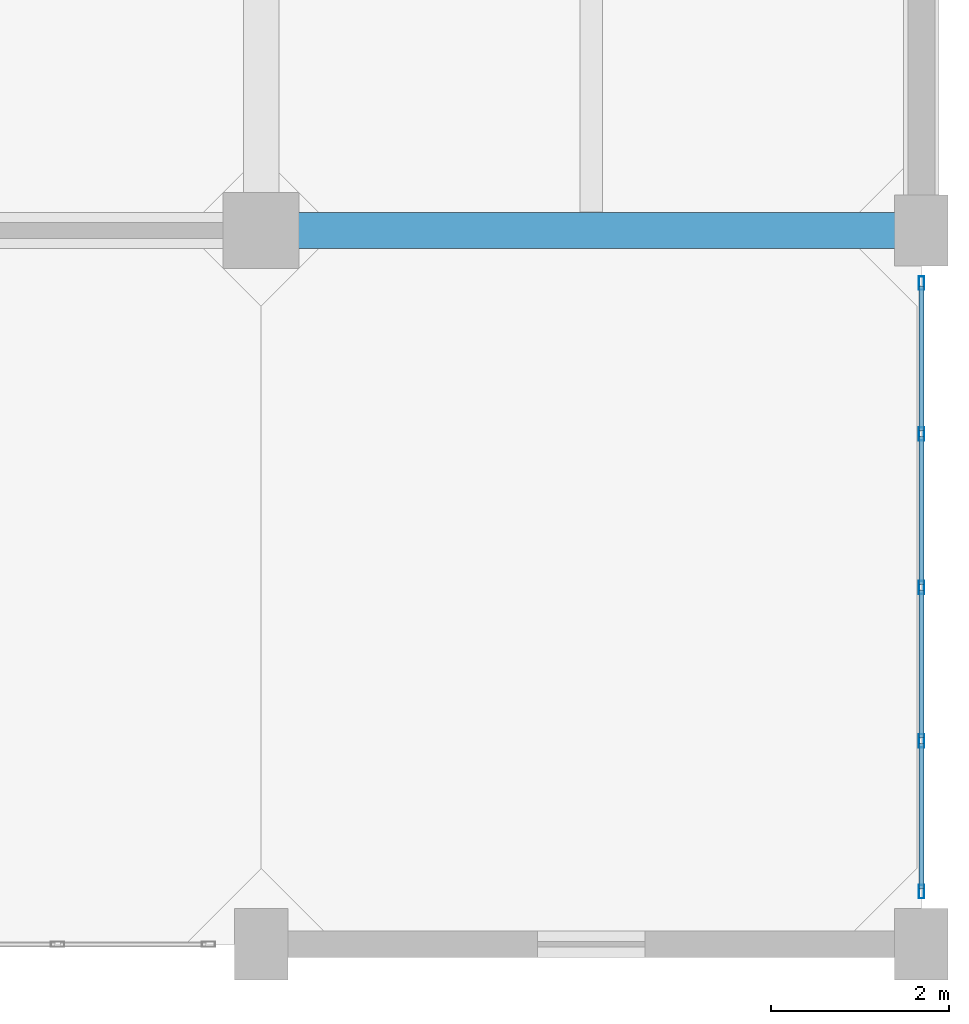
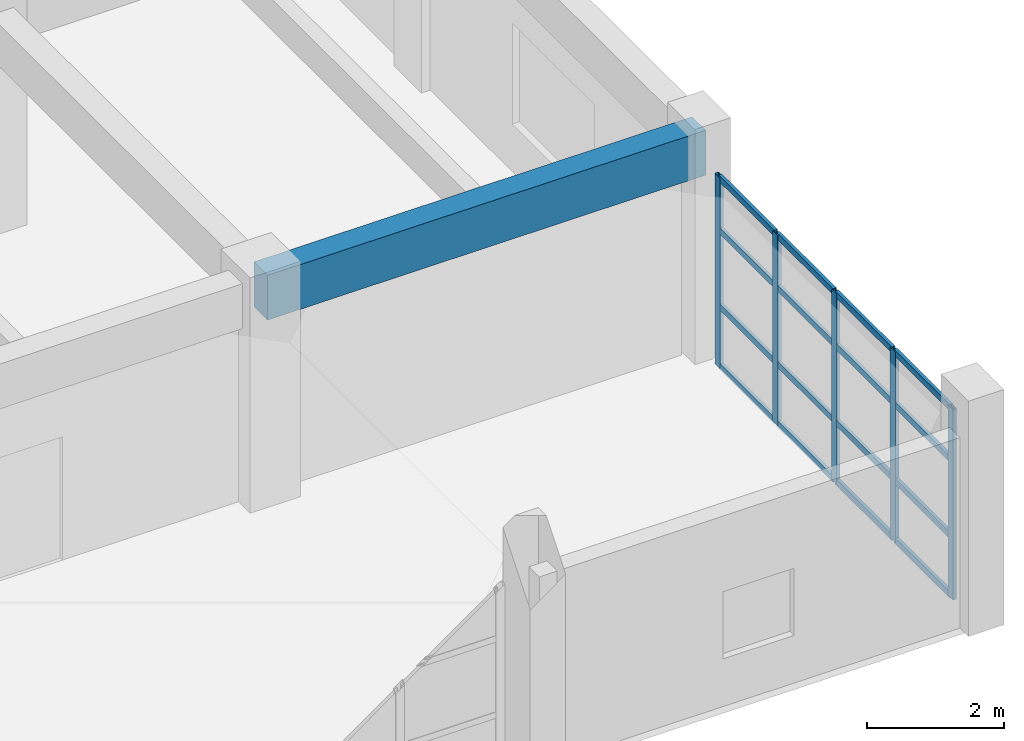
# One storey, part 9 of 27: 21 members, 1 beam, 1 element without a shape of its own.
"""IFC4 building model written with IfcOpenShell, lengths in metres."""

from ifc_helpers import new_model, si_unit, direction, frame, origin, origin_2d, place, context, subcontext, project, spatial, rectangle, hollow_rectangle, extrude, material, layer, layer_set, material_profile, profile_set, type_object, element, aggregate, save


model = new_model("IFC4")

# Units and contexts
model_context = context("Model", 3, precision=1e-05, world=origin(), true_north=direction((0.0, 1.0)))
body_context = subcontext(model_context, "Body", "Model", "MODEL_VIEW")
ifc_project = project(units=[si_unit("LENGTHUNIT", "METRE"), si_unit("AREAUNIT", "SQUARE_METRE"), si_unit("VOLUMEUNIT", "CUBIC_METRE"), si_unit("PLANEANGLEUNIT", "RADIAN"), si_unit("MASSUNIT", "GRAM", prefix="KILO")], contexts=[model_context])

# Site, building, storey
site_placement = place(None, origin())
site = spatial("IfcSite", under=ifc_project, at=site_placement, CompositionType="ELEMENT")
building_placement = place(site_placement, origin())
building = spatial("IfcBuilding", under=site, at=building_placement, Name="Canggui Botanical Conservatory", CompositionType="ELEMENT")
storey_placement = place(building_placement, frame((0.0, 0.0, 23.39990234375)))
storey = spatial("IfcBuildingStorey", under=building, at=storey_placement, Name="L06", CompositionType="ELEMENT", Elevation=23.39990234375)

# Beam
ifc_material_1 = material(Name="Concrete C35", Category="concrete")
ifc_material_profile_1 = material_profile(ifc_material_1, rectangle(XDim=0.39990234375, YDim=0.800048828125, at=origin_2d()), Name="RB 400x800")
ifc_profile_set_1 = profile_set([ifc_material_profile_1], Name="Concrete C35")
beam_type = type_object("IfcBeamType", Name="BM-KL09", PredefinedType="BEAM", material=ifc_profile_set_1)
beam_placement = place(storey_placement, frame((170.0, 34.0, 3.56005859375), z_axis=(1.0, 0.0, 0.0), x_axis=(0.0, 1.0, 0.0)))
element("IfcBeam", 1, at=beam_placement, inside=storey, type_object=beam_type, Name="Frame Girder L06 Y34-5", PredefinedType="BEAM", context=body_context, shape_type="SweptSolid", body=[
    extrude(rectangle(XDim=0.39990234375, YDim=0.800048828125, at=origin_2d()), origin(), (0.0, 0.0, 1.0), 7.39990234375),
])

# Curtain wall, members
ifc_material_2 = material(Name="Thermally Broken Aluminium", Category="aluminium")
ifc_layer = layer(ifc_material_2, 0.14990234375, Name="Thermally Broken Aluminium", Category="aluminium")
ifc_layer_set = layer_set([ifc_layer], Name="Thermally Broken Aluminium")
curtain_wall_type = type_object("IfcCurtainWallType", Name="CW-UNIT-C", PredefinedType="USERDEFINED", material=ifc_layer_set)
curtain_wall_placement = place(storey_placement, origin())
curtain_wall = element("IfcCurtainWall", 2, at=curtain_wall_placement, inside=storey, type_object=curtain_wall_type, Name="Facade Curtain Wall CW-TWR-L06-22", ObjectType="UNITISED CURTAIN WALL", PredefinedType="USERDEFINED")
ifc_material_profile_2 = material_profile(ifc_material_2, hollow_rectangle(XDim=0.06005859375, YDim=0.14990234375, WallThickness=0.00341796875, at=origin_2d()), Name="CWM 60x150x3.5")
ifc_profile_set_2 = profile_set([ifc_material_profile_2], Name="Thermally Broken Aluminium")
member_type_1 = type_object("IfcMemberType", Name="CWM-03", PredefinedType="MULLION", material=ifc_profile_set_2)
member_1_placement = place(storey_placement, frame((177.39990234375, 33.409912109375, 0.0), z_axis=(0.0, 0.0, 1.0), x_axis=(1.0, 0.0, 0.0)))
member_1 = element("IfcMember", 3, at=member_1_placement, type_object=member_type_1, Name="CW-03 mullion 1", PredefinedType="MULLION", context=body_context, shape_type="SweptSolid", body=[
    extrude(hollow_rectangle(XDim=0.06005859375, YDim=0.14990234375, WallThickness=0.00341796875, at=origin_2d()), origin(), (0.0, 0.0, 1.0), 3.400146484375),
])
member_2_placement = place(storey_placement, frame((177.39990234375, 31.719970703125, 0.0), z_axis=(0.0, 0.0, 1.0), x_axis=(1.0, 0.0, 0.0)))
member_2 = element("IfcMember", 4, at=member_2_placement, type_object=member_type_1, Name="CW-03 mullion 2", PredefinedType="MULLION", context=body_context, shape_type="SweptSolid", body=[
    extrude(hollow_rectangle(XDim=0.06005859375, YDim=0.14990234375, WallThickness=0.00341796875, at=origin_2d()), origin(), (0.0, 0.0, 1.0), 3.400146484375),
])
member_3_placement = place(storey_placement, frame((177.39990234375, 30.0, 0.0), z_axis=(0.0, 0.0, 1.0), x_axis=(1.0, 0.0, 0.0)))
member_3 = element("IfcMember", 5, at=member_3_placement, type_object=member_type_1, Name="CW-03 mullion 3", PredefinedType="MULLION", context=body_context, shape_type="SweptSolid", body=[
    extrude(hollow_rectangle(XDim=0.06005859375, YDim=0.14990234375, WallThickness=0.00341796875, at=origin_2d()), origin(), (0.0, 0.0, 1.0), 3.400146484375),
])
member_4_placement = place(storey_placement, frame((177.39990234375, 28.280029296875, 0.0), z_axis=(0.0, 0.0, 1.0), x_axis=(1.0, 0.0, 0.0)))
member_4 = element("IfcMember", 6, at=member_4_placement, type_object=member_type_1, Name="CW-03 mullion 4", PredefinedType="MULLION", context=body_context, shape_type="SweptSolid", body=[
    extrude(hollow_rectangle(XDim=0.06005859375, YDim=0.14990234375, WallThickness=0.00341796875, at=origin_2d()), origin(), (0.0, 0.0, 1.0), 3.400146484375),
])
member_5_placement = place(storey_placement, frame((177.39990234375, 26.590087890625, 0.0), z_axis=(0.0, 0.0, 1.0), x_axis=(1.0, 0.0, 0.0)))
member_5 = element("IfcMember", 7, at=member_5_placement, type_object=member_type_1, Name="CW-03 mullion 5", PredefinedType="MULLION", context=body_context, shape_type="SweptSolid", body=[
    extrude(hollow_rectangle(XDim=0.06005859375, YDim=0.14990234375, WallThickness=0.00341796875, at=origin_2d()), origin(), (0.0, 0.0, 1.0), 3.400146484375),
])
ifc_material_profile_3 = material_profile(ifc_material_2, hollow_rectangle(XDim=0.054931640625, YDim=0.110107421875, WallThickness=0.0029296875, at=origin_2d()), Name="CWT 55x110x3")
ifc_profile_set_3 = profile_set([ifc_material_profile_3], Name="Thermally Broken Aluminium")
member_type_2 = type_object("IfcMemberType", Name="CWT-03", PredefinedType="USERDEFINED", material=ifc_profile_set_3)
member_6_placement = place(storey_placement, frame((177.39990234375, 33.3798828125, 0.027587890625), z_axis=(0.0, -1.0, 0.0), x_axis=(1.0, 0.0, 0.0)))
member_6 = element("IfcMember", 8, at=member_6_placement, type_object=member_type_2, Name="CW-03 transom 1.1", ObjectType="TRANSOM", PredefinedType="USERDEFINED", context=body_context, shape_type="SweptSolid", body=[
    extrude(hollow_rectangle(XDim=0.054931640625, YDim=0.110107421875, WallThickness=0.0029296875, at=origin_2d()), origin(), (0.0, 0.0, 1.0), 1.6298828125),
])
member_7_placement = place(storey_placement, frame((177.39990234375, 33.3798828125, 1.088134765625), z_axis=(0.0, -1.0, 0.0), x_axis=(1.0, 0.0, 0.0)))
member_7 = element("IfcMember", 9, at=member_7_placement, type_object=member_type_2, Name="CW-03 transom 1.2", ObjectType="TRANSOM", PredefinedType="USERDEFINED", context=body_context, shape_type="SweptSolid", body=[
    extrude(hollow_rectangle(XDim=0.054931640625, YDim=0.110107421875, WallThickness=0.0029296875, at=origin_2d()), origin(), (0.0, 0.0, 1.0), 1.6298828125),
])
member_8_placement = place(storey_placement, frame((177.39990234375, 33.3798828125, 2.447998046875), z_axis=(0.0, -1.0, 0.0), x_axis=(1.0, 0.0, 0.0)))
member_8 = element("IfcMember", 10, at=member_8_placement, type_object=member_type_2, Name="CW-03 transom 1.3", ObjectType="TRANSOM", PredefinedType="USERDEFINED", context=body_context, shape_type="SweptSolid", body=[
    extrude(hollow_rectangle(XDim=0.054931640625, YDim=0.110107421875, WallThickness=0.0029296875, at=origin_2d()), origin(), (0.0, 0.0, 1.0), 1.6298828125),
])
member_9_placement = place(storey_placement, frame((177.39990234375, 33.3798828125, 3.37255859375), z_axis=(0.0, -1.0, 0.0), x_axis=(1.0, 0.0, 0.0)))
member_9 = element("IfcMember", 11, at=member_9_placement, type_object=member_type_2, Name="CW-03 transom 1.4", ObjectType="TRANSOM", PredefinedType="USERDEFINED", context=body_context, shape_type="SweptSolid", body=[
    extrude(hollow_rectangle(XDim=0.054931640625, YDim=0.110107421875, WallThickness=0.0029296875, at=origin_2d()), origin(), (0.0, 0.0, 1.0), 1.6298828125),
])
member_10_placement = place(storey_placement, frame((177.39990234375, 31.68994140625, 0.027587890625), z_axis=(0.0, -1.0, 0.0), x_axis=(1.0, 0.0, 0.0)))
member_10 = element("IfcMember", 12, at=member_10_placement, type_object=member_type_2, Name="CW-03 transom 2.1", ObjectType="TRANSOM", PredefinedType="USERDEFINED", context=body_context, shape_type="SweptSolid", body=[
    extrude(hollow_rectangle(XDim=0.054931640625, YDim=0.110107421875, WallThickness=0.0029296875, at=origin_2d()), origin(), (0.0, 0.0, 1.0), 1.659912109375),
])
member_11_placement = place(storey_placement, frame((177.39990234375, 31.68994140625, 1.088134765625), z_axis=(0.0, -1.0, 0.0), x_axis=(1.0, 0.0, 0.0)))
member_11 = element("IfcMember", 13, at=member_11_placement, type_object=member_type_2, Name="CW-03 transom 2.2", ObjectType="TRANSOM", PredefinedType="USERDEFINED", context=body_context, shape_type="SweptSolid", body=[
    extrude(hollow_rectangle(XDim=0.054931640625, YDim=0.110107421875, WallThickness=0.0029296875, at=origin_2d()), origin(), (0.0, 0.0, 1.0), 1.659912109375),
])
member_12_placement = place(storey_placement, frame((177.39990234375, 31.68994140625, 2.447998046875), z_axis=(0.0, -1.0, 0.0), x_axis=(1.0, 0.0, 0.0)))
member_12 = element("IfcMember", 14, at=member_12_placement, type_object=member_type_2, Name="CW-03 transom 2.3", ObjectType="TRANSOM", PredefinedType="USERDEFINED", context=body_context, shape_type="SweptSolid", body=[
    extrude(hollow_rectangle(XDim=0.054931640625, YDim=0.110107421875, WallThickness=0.0029296875, at=origin_2d()), origin(), (0.0, 0.0, 1.0), 1.659912109375),
])
member_13_placement = place(storey_placement, frame((177.39990234375, 31.68994140625, 3.37255859375), z_axis=(0.0, -1.0, 0.0), x_axis=(1.0, 0.0, 0.0)))
member_13 = element("IfcMember", 15, at=member_13_placement, type_object=member_type_2, Name="CW-03 transom 2.4", ObjectType="TRANSOM", PredefinedType="USERDEFINED", context=body_context, shape_type="SweptSolid", body=[
    extrude(hollow_rectangle(XDim=0.054931640625, YDim=0.110107421875, WallThickness=0.0029296875, at=origin_2d()), origin(), (0.0, 0.0, 1.0), 1.659912109375),
])
member_14_placement = place(storey_placement, frame((177.39990234375, 29.969970703125, 0.027587890625), z_axis=(0.0, -1.0, 0.0), x_axis=(1.0, 0.0, 0.0)))
member_14 = element("IfcMember", 16, at=member_14_placement, type_object=member_type_2, Name="CW-03 transom 3.1", ObjectType="TRANSOM", PredefinedType="USERDEFINED", context=body_context, shape_type="SweptSolid", body=[
    extrude(hollow_rectangle(XDim=0.054931640625, YDim=0.110107421875, WallThickness=0.0029296875, at=origin_2d()), origin(), (0.0, 0.0, 1.0), 1.659912109375),
])
member_15_placement = place(storey_placement, frame((177.39990234375, 29.969970703125, 1.088134765625), z_axis=(0.0, -1.0, 0.0), x_axis=(1.0, 0.0, 0.0)))
member_15 = element("IfcMember", 17, at=member_15_placement, type_object=member_type_2, Name="CW-03 transom 3.2", ObjectType="TRANSOM", PredefinedType="USERDEFINED", context=body_context, shape_type="SweptSolid", body=[
    extrude(hollow_rectangle(XDim=0.054931640625, YDim=0.110107421875, WallThickness=0.0029296875, at=origin_2d()), origin(), (0.0, 0.0, 1.0), 1.659912109375),
])
member_16_placement = place(storey_placement, frame((177.39990234375, 29.969970703125, 2.447998046875), z_axis=(0.0, -1.0, 0.0), x_axis=(1.0, 0.0, 0.0)))
member_16 = element("IfcMember", 18, at=member_16_placement, type_object=member_type_2, Name="CW-03 transom 3.3", ObjectType="TRANSOM", PredefinedType="USERDEFINED", context=body_context, shape_type="SweptSolid", body=[
    extrude(hollow_rectangle(XDim=0.054931640625, YDim=0.110107421875, WallThickness=0.0029296875, at=origin_2d()), origin(), (0.0, 0.0, 1.0), 1.659912109375),
])
member_17_placement = place(storey_placement, frame((177.39990234375, 29.969970703125, 3.37255859375), z_axis=(0.0, -1.0, 0.0), x_axis=(1.0, 0.0, 0.0)))
member_17 = element("IfcMember", 19, at=member_17_placement, type_object=member_type_2, Name="CW-03 transom 3.4", ObjectType="TRANSOM", PredefinedType="USERDEFINED", context=body_context, shape_type="SweptSolid", body=[
    extrude(hollow_rectangle(XDim=0.054931640625, YDim=0.110107421875, WallThickness=0.0029296875, at=origin_2d()), origin(), (0.0, 0.0, 1.0), 1.659912109375),
])
member_18_placement = place(storey_placement, frame((177.39990234375, 28.25, 0.027587890625), z_axis=(0.0, -1.0, 0.0), x_axis=(1.0, 0.0, 0.0)))
member_18 = element("IfcMember", 20, at=member_18_placement, type_object=member_type_2, Name="CW-03 transom 4.1", ObjectType="TRANSOM", PredefinedType="USERDEFINED", context=body_context, shape_type="SweptSolid", body=[
    extrude(hollow_rectangle(XDim=0.054931640625, YDim=0.110107421875, WallThickness=0.0029296875, at=origin_2d()), origin(), (0.0, 0.0, 1.0), 1.6298828125),
])
member_19_placement = place(storey_placement, frame((177.39990234375, 28.25, 1.088134765625), z_axis=(0.0, -1.0, 0.0), x_axis=(1.0, 0.0, 0.0)))
member_19 = element("IfcMember", 21, at=member_19_placement, type_object=member_type_2, Name="CW-03 transom 4.2", ObjectType="TRANSOM", PredefinedType="USERDEFINED", context=body_context, shape_type="SweptSolid", body=[
    extrude(hollow_rectangle(XDim=0.054931640625, YDim=0.110107421875, WallThickness=0.0029296875, at=origin_2d()), origin(), (0.0, 0.0, 1.0), 1.6298828125),
])
member_20_placement = place(storey_placement, frame((177.39990234375, 28.25, 2.447998046875), z_axis=(0.0, -1.0, 0.0), x_axis=(1.0, 0.0, 0.0)))
member_20 = element("IfcMember", 22, at=member_20_placement, type_object=member_type_2, Name="CW-03 transom 4.3", ObjectType="TRANSOM", PredefinedType="USERDEFINED", context=body_context, shape_type="SweptSolid", body=[
    extrude(hollow_rectangle(XDim=0.054931640625, YDim=0.110107421875, WallThickness=0.0029296875, at=origin_2d()), origin(), (0.0, 0.0, 1.0), 1.6298828125),
])
member_21_placement = place(storey_placement, frame((177.39990234375, 28.25, 3.37255859375), z_axis=(0.0, -1.0, 0.0), x_axis=(1.0, 0.0, 0.0)))
member_21 = element("IfcMember", 23, at=member_21_placement, type_object=member_type_2, Name="CW-03 transom 4.4", ObjectType="TRANSOM", PredefinedType="USERDEFINED", context=body_context, shape_type="SweptSolid", body=[
    extrude(hollow_rectangle(XDim=0.054931640625, YDim=0.110107421875, WallThickness=0.0029296875, at=origin_2d()), origin(), (0.0, 0.0, 1.0), 1.6298828125),
])
aggregate(curtain_wall, [member_1, member_2, member_3, member_4, member_5, member_6, member_7, member_8, member_9, member_10, member_11, member_12, member_13, member_14, member_15, member_16, member_17, member_18, member_19, member_20, member_21])

save(model, "model.ifc")
